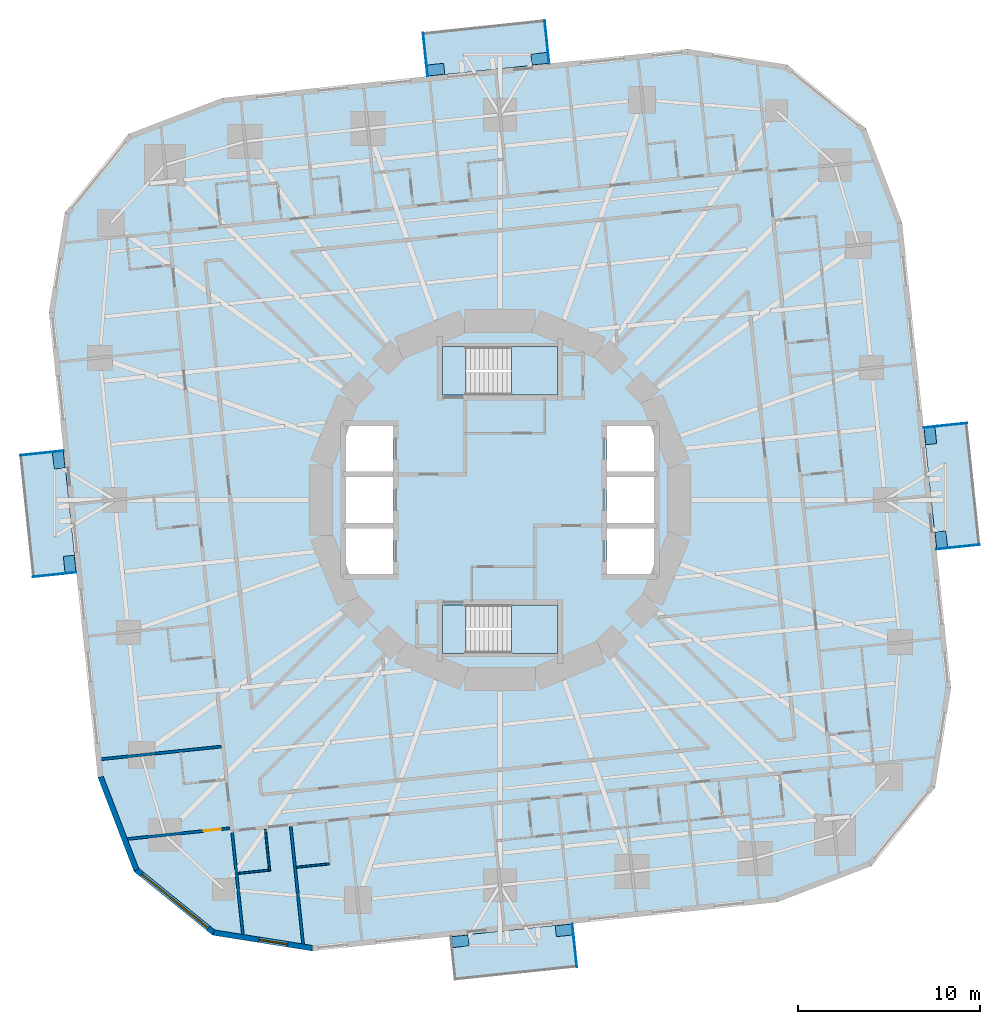
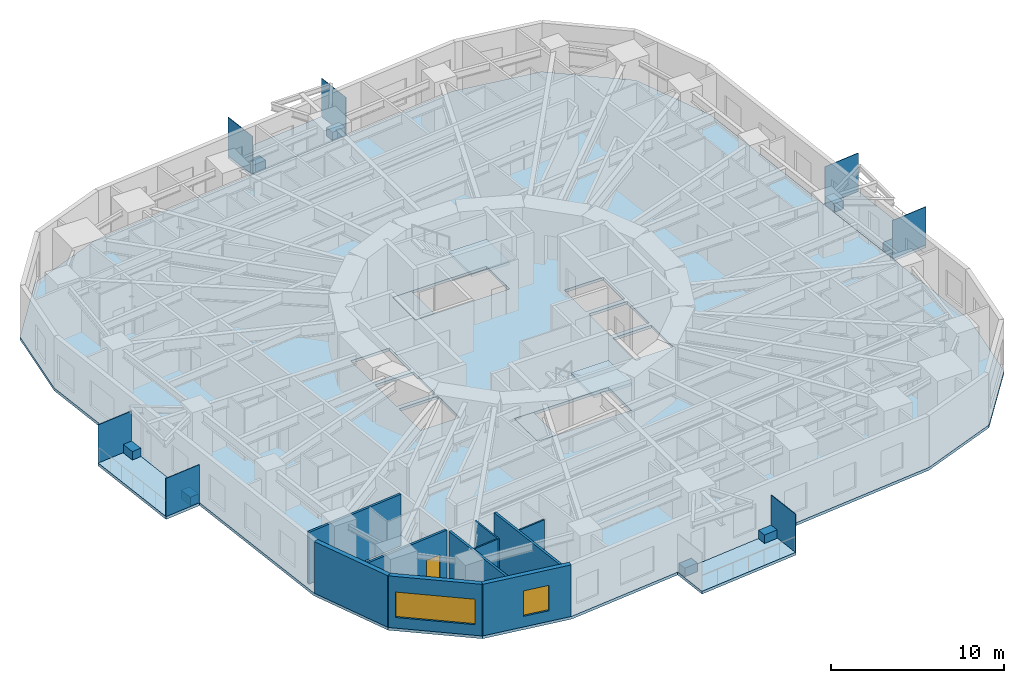
# One storey, part 4 of 13: 15 plates, 10 walls, 9 slabs, 2 windows, 1 door, 3 openings, 2 elements without a shape of their own.
"""IFC4 building model written with IfcOpenShell, lengths in metres."""

from ifc_helpers import new_model, si_unit, direction, frame, frame_2d, origin, origin_2d, place, context, subcontext, project, spatial, polyline, rectangle, outline, extrude, material, layer, layer_set, type_object, element, fill, aggregate, save


model = new_model("IFC4")

# Units and contexts
model_context = context("Model", 3, precision=1e-05, world=origin(), true_north=direction((0.0, 1.0)))
body_context = subcontext(model_context, "Body", "Model", "MODEL_VIEW")
ifc_project = project(units=[si_unit("LENGTHUNIT", "METRE"), si_unit("AREAUNIT", "SQUARE_METRE"), si_unit("VOLUMEUNIT", "CUBIC_METRE"), si_unit("PLANEANGLEUNIT", "RADIAN"), si_unit("MASSUNIT", "GRAM", prefix="KILO")], contexts=[model_context])

# Site, building, storey
site_placement = place(None, origin())
site = spatial("IfcSite", under=ifc_project, at=site_placement, CompositionType="ELEMENT")
building_placement = place(site_placement, origin())
building = spatial("IfcBuilding", under=site, at=building_placement, Name="Nakasero Lantern House", CompositionType="ELEMENT")
storey_placement = place(building_placement, frame((0.0, 0.0, 79.75)))
storey = spatial("IfcBuildingStorey", under=building, at=storey_placement, Name="L19", CompositionType="ELEMENT", Elevation=79.75)

# Plates
ifc_material_1 = material(Name="Aluminium 6063-T6", Category="aluminium")
ifc_layer_1 = layer(ifc_material_1, 0.60009765625)
ifc_layer_set_1 = layer_set([ifc_layer_1], Name="Balcony planter 600x900")
plate_type_1 = type_object("IfcPlateType", Name="Balcony planter 600x900", PredefinedType="USERDEFINED", material=ifc_layer_set_1)
for number, where, z_axis, x_axis, name in (
    (1, (24.1796875, -2.174560546875, 0.0), (0.0, 0.0, 1.0), (0.994521895368, 0.104528463268, 0.0), "Balcony PLANTER L19 BAL0A"),
    (2, (23.58251953125, 3.507568359375, 0.0), (0.0, 0.0, 1.0), (0.994521895368, 0.104528463268, 0.0), "Balcony PLANTER L19 BAL0B"),
    (3, (2.174560546875, 24.1796875, 0.0), (0.0, 0.0, 1.0), (-0.104528463268, 0.994521895368, 0.0), "Balcony PLANTER L19 BAL1A"),
    (4, (-3.507568359375, 23.58251953125, 0.0), (0.0, 0.0, 1.0), (-0.104528463268, 0.994521895368, 0.0), "Balcony PLANTER L19 BAL1B"),
    (5, (-24.1796875, 2.174560546875, 0.0), (0.0, 0.0, 1.0), (-0.994521895368, -0.104528463268, 0.0), "Balcony PLANTER L19 BAL2A"),
    (6, (-23.58251953125, -3.507568359375, 0.0), (0.0, 0.0, 1.0), (-0.994521895368, -0.104528463268, 0.0), "Balcony PLANTER L19 BAL2B"),
    (7, (-2.174560546875, -24.1796875, 0.0), (0.0, 0.0, 1.0), (0.104528463268, -0.994521895368, 0.0), "Balcony PLANTER L19 BAL3A"),
    (8, (3.507568359375, -23.58251953125, 0.0), (0.0, 0.0, 1.0), (0.104528463268, -0.994521895368, 0.0), "Balcony PLANTER L19 BAL3B"),
):
    element("IfcPlate", number, at=place(storey_placement, frame(where, z_axis=z_axis, x_axis=x_axis)), inside=storey, type_object=plate_type_1, Name=name, ObjectType="PLANTER", PredefinedType="USERDEFINED", context=body_context, shape_type="SweptSolid", body=[
        extrude(rectangle(XDim=0.60009765625, YDim=0.89990234375, at=origin_2d()), origin(), (0.0, 0.0, 1.0), 0.60009765625),
    ])
ifc_material_2 = material(Name="Aluminium 6063-T6", Category="aluminium")
ifc_layer_2 = layer(ifc_material_2, 0.0400390625)
ifc_layer_set_2 = layer_set([ifc_layer_2], Name="Balcony screen 2400x2700")
plate_type_2 = type_object("IfcPlateType", Name="Balcony screen 2400x2700", PredefinedType="SHEET", material=ifc_layer_set_2)
for number, where, z_axis, x_axis, name in (
    (9, (25.106201171875, -2.56982421875, 0.0), (0.0, 0.0, 1.0), (0.994521895368, 0.104528463268, 0.0), "Balcony SCREEN L19 BAL0A"),
    (10, (24.406494140625, 4.0869140625, 0.0), (0.0, 0.0, 1.0), (0.994521895368, 0.104528463268, 0.0), "Balcony SCREEN L19 BAL0B"),
    (11, (2.56982421875, 25.106201171875, 0.0), (0.0, 0.0, 1.0), (-0.104528463268, 0.994521895368, 0.0), "Balcony SCREEN L19 BAL1A"),
    (12, (-4.0869140625, 24.406494140625, 0.0), (0.0, 0.0, 1.0), (-0.104528463268, 0.994521895368, 0.0), "Balcony SCREEN L19 BAL1B"),
    (13, (-25.106201171875, 2.56982421875, 0.0), (0.0, 0.0, 1.0), (-0.994521895368, -0.104528463268, 0.0), "Balcony SCREEN L19 BAL2A"),
    (14, (-24.406494140625, -4.0869140625, 0.0), (0.0, 0.0, 1.0), (-0.994521895368, -0.104528463268, 0.0), "Balcony SCREEN L19 BAL2B"),
    (15, (4.0869140625, -24.406494140625, 0.0), (0.0, 0.0, 1.0), (0.104528463268, -0.994521895368, 0.0), "Balcony SCREEN L19 BAL3B"),
):
    element("IfcPlate", number, at=place(storey_placement, frame(where, z_axis=z_axis, x_axis=x_axis)), inside=storey, type_object=plate_type_2, Name=name, PredefinedType="SHEET", context=body_context, shape_type="SweptSolid", body=[
        extrude(rectangle(XDim=2.39990234375, YDim=0.0400390625, at=origin_2d()), origin(), (0.0, 0.0, 1.0), 2.699951171875),
    ])

# Slabs
ifc_material_3 = material(Name="Concrete C35/45", Category="concrete")
ifc_layer_3 = layer(ifc_material_3, 0.199951171875)
ifc_layer_set_3 = layer_set([ifc_layer_3], Name="Balcony slab 200")
slab_type_1 = type_object("IfcSlabType", Name="Balcony slab 200", PredefinedType="USERDEFINED", material=ifc_layer_set_3)
slab_1_placement = place(storey_placement, frame((0.0, 0.0, -0.199951171875)))
element("IfcSlab", 16, at=slab_1_placement, inside=storey, type_object=slab_type_1, Name="Balcony L19 BAL0", ObjectType="BALCONY", PredefinedType="USERDEFINED", context=body_context, shape_type="SweptSolid", body=[
    extrude(outline(polyline([(23.914794921875, -2.715087890625), (26.3017578125, -2.464111328125), (25.597900390625, 4.232177734375), (23.2109375, 3.9814453125), (23.914794921875, -2.715087890625)])), origin(), (0.0, 0.0, 1.0), 0.199951171875),
])
slab_2_placement = place(storey_placement, frame((0.0, 0.0, -0.199951171875)))
element("IfcSlab", 17, at=slab_2_placement, inside=storey, type_object=slab_type_1, Name="Balcony L19 BAL1", ObjectType="BALCONY", PredefinedType="USERDEFINED", context=body_context, shape_type="SweptSolid", body=[
    extrude(outline(polyline([(2.715087890625, 23.914794921875), (2.464111328125, 26.3017578125), (-4.232177734375, 25.597900390625), (-3.9814453125, 23.2109375), (2.715087890625, 23.914794921875)])), origin(), (0.0, 0.0, 1.0), 0.199951171875),
])
slab_3_placement = place(storey_placement, frame((0.0, 0.0, -0.199951171875)))
element("IfcSlab", 18, at=slab_3_placement, inside=storey, type_object=slab_type_1, Name="Balcony L19 BAL2", ObjectType="BALCONY", PredefinedType="USERDEFINED", context=body_context, shape_type="SweptSolid", body=[
    extrude(outline(polyline([(-23.914794921875, 2.715087890625), (-26.3017578125, 2.464111328125), (-25.597900390625, -4.232177734375), (-23.2109375, -3.9814453125), (-23.914794921875, 2.715087890625)])), origin(), (0.0, 0.0, 1.0), 0.199951171875),
])
slab_4_placement = place(storey_placement, frame((0.0, 0.0, -0.199951171875)))
element("IfcSlab", 19, at=slab_4_placement, inside=storey, type_object=slab_type_1, Name="Balcony L19 BAL3", ObjectType="BALCONY", PredefinedType="USERDEFINED", context=body_context, shape_type="SweptSolid", body=[
    extrude(outline(polyline([(-2.715087890625, -23.914794921875), (-2.464111328125, -26.3017578125), (4.232177734375, -25.597900390625), (3.9814453125, -23.2109375), (-2.715087890625, -23.914794921875)])), origin(), (0.0, 0.0, 1.0), 0.199951171875),
])
ifc_material_4 = material(Name="Concrete C35/45", Category="concrete")
ifc_layer_4 = layer(ifc_material_4, 0.199951171875)
ifc_layer_set_4 = layer_set([ifc_layer_4], Name="Composite floor slab 200")
slab_type_2 = type_object("IfcSlabType", Name="Composite floor slab 200", PredefinedType="FLOOR", material=ifc_layer_set_4)
slab_5_placement = place(storey_placement, frame((0.0, 0.0, -0.199951171875)))
element("IfcSlab", 20, at=slab_5_placement, inside=storey, type_object=slab_type_2, Name="Floor slab L19", PredefinedType="FLOOR", context=body_context, shape_type="SweptSolid", body=[
    extrude(outline(polyline([(22.033203125, 15.186279296875), (20.04833984375, 20.357177734375), (15.743896484375, 23.8427734375), (10.2734375, 24.709228515625), (-15.186279296875, 22.033203125), (-20.357177734375, 20.04833984375), (-23.8427734375, 15.743896484375), (-24.709228515625, 10.2734375), (-22.033203125, -15.186279296875), (-20.04833984375, -20.357177734375), (-15.743896484375, -23.8427734375), (-10.2734375, -24.709228515625), (15.186279296875, -22.033203125), (20.357177734375, -20.04833984375), (23.8427734375, -15.743896484375), (24.709228515625, -10.2734375), (22.033203125, 15.186279296875)]), holes=[polyline([(-8.449951171875, -4.050048828125), (-5.85009765625, -4.050048828125), (-5.85009765625, -1.550048828125), (-8.449951171875, -1.550048828125), (-8.449951171875, -4.050048828125)]), polyline([(-8.449951171875, -1.25), (-5.85009765625, -1.25), (-5.85009765625, 1.25), (-8.449951171875, 1.25), (-8.449951171875, -1.25)]), polyline([(-8.449951171875, 1.550048828125), (-5.85009765625, 1.550048828125), (-5.85009765625, 4.050048828125), (-8.449951171875, 4.050048828125), (-8.449951171875, 1.550048828125)]), polyline([(5.85009765625, -4.050048828125), (8.449951171875, -4.050048828125), (8.449951171875, -1.550048828125), (5.85009765625, -1.550048828125), (5.85009765625, -4.050048828125)]), polyline([(5.85009765625, -1.25), (8.449951171875, -1.25), (8.449951171875, 1.25), (5.85009765625, 1.25), (5.85009765625, -1.25)]), polyline([(5.85009765625, 1.550048828125), (8.449951171875, 1.550048828125), (8.449951171875, 4.050048828125), (5.85009765625, 4.050048828125), (5.85009765625, 1.550048828125)]), polyline([(-3.14990234375, 5.75), (3.14990234375, 5.75), (3.14990234375, 8.39990234375), (-3.14990234375, 8.39990234375), (-3.14990234375, 5.75)]), polyline([(-3.14990234375, -8.39990234375), (3.14990234375, -8.39990234375), (3.14990234375, -5.75), (-3.14990234375, -5.75), (-3.14990234375, -8.39990234375)])]), origin(), (0.0, 0.0, 1.0), 0.199951171875),
])

# Stair, slabs
ifc_material_5 = material(Name="Concrete C40/50", Category="concrete")
stair_type_1 = type_object("IfcStairType", Name="Escape stair ST1 22 risers", PredefinedType="HALF_TURN_STAIR", material=ifc_material_5)
stair_1_placement = place(storey_placement, origin())
stair_1 = element("IfcStair", 21, at=stair_1_placement, inside=storey, type_object=stair_type_1, Name="Escape stair ST1 L19", PredefinedType="HALF_TURN_STAIR")
ifc_material_6 = material(Name="Concrete C40/50", Category="concrete")
ifc_layer_5 = layer(ifc_material_6, 0.199951171875)
ifc_layer_set_5 = layer_set([ifc_layer_5], Name="Stair landing 200")
slab_type_3 = type_object("IfcSlabType", Name="Stair landing 200", PredefinedType="LANDING", material=ifc_layer_set_5)
slab_6_placement = place(storey_placement, frame((0.0, 0.0, -0.199951171875)))
slab_6 = element("IfcSlab", 22, at=slab_6_placement, type_object=slab_type_3, Name="ST1 landing 1", PredefinedType="LANDING", context=body_context, shape_type="SweptSolid", body=[
    extrude(outline(polyline([(-3.14990234375, 5.75), (-1.875, 5.75), (-1.875, 8.39990234375), (-3.14990234375, 8.39990234375), (-3.14990234375, 5.75)])), origin(), (0.0, 0.0, 1.0), 0.199951171875),
])
slab_7_placement = place(storey_placement, frame((0.0, 0.0, 1.72509765625)))
slab_7 = element("IfcSlab", 23, at=slab_7_placement, type_object=slab_type_3, Name="ST1 landing 2", PredefinedType="LANDING", context=body_context, shape_type="SweptSolid", body=[
    extrude(outline(polyline([(0.625, 5.75), (3.14990234375, 5.75), (3.14990234375, 8.39990234375), (0.625, 8.39990234375), (0.625, 5.75)])), origin(), (0.0, 0.0, 1.0), 0.199951171875),
])
aggregate(stair_1, [slab_6, slab_7])

ifc_material_7 = material(Name="Concrete C40/50", Category="concrete")
stair_type_2 = type_object("IfcStairType", Name="Escape stair ST2 22 risers", PredefinedType="HALF_TURN_STAIR", material=ifc_material_7)
stair_2_placement = place(storey_placement, origin())
stair_2 = element("IfcStair", 24, at=stair_2_placement, inside=storey, type_object=stair_type_2, Name="Escape stair ST2 L19", PredefinedType="HALF_TURN_STAIR")
slab_8_placement = place(storey_placement, frame((0.0, 0.0, -0.199951171875)))
slab_8 = element("IfcSlab", 25, at=slab_8_placement, type_object=slab_type_3, Name="ST2 landing 1", PredefinedType="LANDING", context=body_context, shape_type="SweptSolid", body=[
    extrude(outline(polyline([(-3.14990234375, -8.39990234375), (-1.875, -8.39990234375), (-1.875, -5.75), (-3.14990234375, -5.75), (-3.14990234375, -8.39990234375)])), origin(), (0.0, 0.0, 1.0), 0.199951171875),
])
slab_9_placement = place(storey_placement, frame((0.0, 0.0, 1.72509765625)))
slab_9 = element("IfcSlab", 26, at=slab_9_placement, type_object=slab_type_3, Name="ST2 landing 2", PredefinedType="LANDING", context=body_context, shape_type="SweptSolid", body=[
    extrude(outline(polyline([(0.625, -8.39990234375), (3.14990234375, -8.39990234375), (3.14990234375, -5.75), (0.625, -5.75), (0.625, -8.39990234375)])), origin(), (0.0, 0.0, 1.0), 0.199951171875),
])
aggregate(stair_2, [slab_8, slab_9])

# Walls
ifc_material_8 = material(Name="Blockwork", Category="masonry")
ifc_layer_6 = layer(ifc_material_8, 0.10009765625)
ifc_layer_set_6 = layer_set([ifc_layer_6], Name="En-suite wall 100")
wall_type_1 = type_object("IfcWallType", Name="En-suite wall 100", PredefinedType="PARTITIONING", material=ifc_layer_set_6)
wall_1_placement = place(storey_placement, frame((-12.859375, -18.04296875, 0.0), z_axis=(0.0, 0.0, 1.0), x_axis=(0.104452703326, -0.994529855142, 0.0)))
element("IfcWall", 27, at=wall_1_placement, inside=storey, type_object=wall_type_1, Name="En-suite wall L19 ES3-00", PredefinedType="PARTITIONING", context=body_context, shape_type="SweptSolid", body=[
    extrude(rectangle(XDim=2.300048828125, YDim=0.10009765625, at=frame_2d((1.14990234375, 0.0))), origin(), (0.0, 0.0, 1.0), 3.64990234375),
])
wall_2_placement = place(storey_placement, frame((-14.36474609375, -20.463623046875, 0.0), z_axis=(0.0, 0.0, 1.0), x_axis=(0.994519608382, 0.104550220202, 0.0)))
element("IfcWall", 28, at=wall_2_placement, inside=storey, type_object=wall_type_1, Name="En-suite wall L19 EE3-00", PredefinedType="PARTITIONING", context=body_context, shape_type="SweptSolid", body=[
    extrude(rectangle(XDim=1.699951171875, YDim=0.10009765625, at=frame_2d((0.85009765625, 0.0))), origin(), (0.0, 0.0, 1.0), 3.64990234375),
])
wall_3_placement = place(storey_placement, frame((-11.156982421875, -20.12646484375, 0.0), z_axis=(0.0, 0.0, 1.0), x_axis=(0.994516595821, 0.104578872801, 0.0)))
element("IfcWall", 29, at=wall_3_placement, inside=storey, type_object=wall_type_1, Name="En-suite wall L19 EE3-01", PredefinedType="PARTITIONING", context=body_context, shape_type="SweptSolid", body=[
    extrude(rectangle(XDim=1.7998046875, YDim=0.10009765625, at=frame_2d((0.89990234375, 0.0))), origin(), (0.0, 0.0, 1.0), 3.64990234375),
])
ifc_material_9 = material(Name="Aluminium rainscreen on blockwork", Category="masonry")
ifc_layer_7 = layer(ifc_material_9, 0.300048828125)
ifc_layer_set_7 = layer_set([ifc_layer_7], Name="Facade wall 300")
wall_type_2 = type_object("IfcWallType", Name="Facade wall 300", PredefinedType="SOLIDWALL", material=ifc_layer_set_7)
wall_4_placement = place(storey_placement, frame((-21.884033203125, -15.170654296875, 0.0), z_axis=(0.0, 0.0, 1.0), x_axis=(0.358358884793, -0.933583906079, 0.0)))
element("IfcWall", 30, at=wall_4_placement, inside=storey, type_object=wall_type_2, Name="Facade wall L19 FW2C1", PredefinedType="SOLIDWALL", context=body_context, shape_type="SweptSolid", body=[
    extrude(rectangle(XDim=5.461181640625, YDim=0.300048828125, at=frame_2d((2.73046875, 0.0))), origin(), (0.0, 0.0, 1.0), 3.64990234375),
])

# Wall, opening, window
wall_5_placement = place(storey_placement, frame((-19.927001953125, -20.26904296875, 0.0), z_axis=(0.0, 0.0, 1.0), x_axis=(0.777134500863, -0.629334543442, 0.0)))
wall_5 = element("IfcWall", 31, at=wall_5_placement, inside=storey, type_object=wall_type_2, Name="Facade wall L19 FW2C2", PredefinedType="SOLIDWALL", context=body_context, shape_type="SweptSolid", body=[
    extrude(rectangle(XDim=5.4609375, YDim=0.300048828125, at=frame_2d((2.73046875, 0.0))), origin(), (0.0, 0.0, 1.0), 3.64990234375),
])
opening_1_placement = place(wall_5_placement, frame((0.39990234375, 0.0, 0.75)))
opening_1 = element("IfcOpeningElement", 32, at=opening_1_placement, cuts=wall_5, Name="Opening W246", PredefinedType="OPENING", context=body_context, shape_type="SweptSolid", body=[
    extrude(rectangle(XDim=4.660888671875, YDim=1.800048828125, at=frame_2d((2.33056640625, 0.89990234375))), frame((0.0, 0.169921875, 0.0), z_axis=(0.0, -1.0, 0.0), x_axis=(1.0, 0.0, 0.0)), (0.0, 0.0, 1.0), 0.340087890625),
])
ifc_material_10 = material(Name="Aluminium 6063-T6 and glass", Category="aluminium")
window_type_1 = type_object("IfcWindowType", Name="Corner window 4661x1800", PartitioningType="SINGLE_PANEL", PredefinedType="WINDOW", material=ifc_material_10)
window_1_placement = place(opening_1_placement, origin())
window_1 = element("IfcWindow", 33, at=window_1_placement, inside=storey, type_object=window_type_1, Name="Window L19 WC2", OverallHeight=1.800048828125, OverallWidth=4.660888671875, PartitioningType="SINGLE_PANEL", PredefinedType="WINDOW", context=body_context, shape_type="SweptSolid", body=[
    extrude(rectangle(XDim=4.660888671875, YDim=1.800048828125, at=frame_2d((2.33056640625, 0.89990234375))), frame((0.0, 0.030029296875, 0.0), z_axis=(0.0, -1.0, 0.0), x_axis=(1.0, 0.0, 0.0)), (0.0, 0.0, 1.0), 0.06005859375),
])
fill(opening_1, window_1)

wall_6_placement = place(storey_placement, frame((-15.68310546875, -23.705810546875, 0.0), z_axis=(0.0, 0.0, 1.0), x_axis=(0.987690729142, -0.156419383601, 0.0)))
wall_6 = element("IfcWall", 34, at=wall_6_placement, inside=storey, type_object=wall_type_2, Name="Facade wall L19 FW2C3", PredefinedType="SOLIDWALL", context=body_context, shape_type="SweptSolid", body=[
    extrude(rectangle(XDim=5.461181640625, YDim=0.300048828125, at=frame_2d((2.73046875, 0.0))), origin(), (0.0, 0.0, 1.0), 3.64990234375),
])
opening_2_placement = place(wall_6_placement, frame((2.5, 0.0, 0.75)))
opening_2 = element("IfcOpeningElement", 35, at=opening_2_placement, cuts=wall_6, Name="Opening W01", PredefinedType="OPENING", context=body_context, shape_type="SweptSolid", body=[
    extrude(rectangle(XDim=1.60009765625, YDim=1.800048828125, at=frame_2d((0.800048828125, 0.89990234375))), frame((0.0, 0.169921875, 0.0), z_axis=(0.0, -1.0, 0.0), x_axis=(1.0, 0.0, 0.0)), (0.0, 0.0, 1.0), 0.340087890625),
])
ifc_material_11 = material(Name="Aluminium 6063-T6 and glass", Category="aluminium")
window_type_2 = type_object("IfcWindowType", Name="Bedroom window 1600x1800", PartitioningType="SINGLE_PANEL", PredefinedType="WINDOW", material=ifc_material_11)
window_2_placement = place(opening_2_placement, origin())
window_2 = element("IfcWindow", 36, at=window_2_placement, inside=storey, type_object=window_type_2, Name="Window L19 WN3-00", OverallHeight=1.800048828125, OverallWidth=1.60009765625, PartitioningType="SINGLE_PANEL", PredefinedType="WINDOW", context=body_context, shape_type="SweptSolid", body=[
    extrude(rectangle(XDim=1.60009765625, YDim=1.800048828125, at=frame_2d((0.800048828125, 0.89990234375))), frame((0.0, 0.030029296875, 0.0), z_axis=(0.0, -1.0, 0.0), x_axis=(1.0, 0.0, 0.0)), (0.0, 0.0, 1.0), 0.06005859375),
])
fill(opening_2, window_2)

# Wall
ifc_material_12 = material(Name="Blockwork", Category="masonry")
ifc_layer_8 = layer(ifc_material_12, 0.14990234375)
ifc_layer_set_8 = layer_set([ifc_layer_8], Name="Party wall 150")
wall_type_3 = type_object("IfcWallType", Name="Party wall 150", PredefinedType="PARTITIONING", material=ifc_layer_set_8)
wall_7_placement = place(storey_placement, frame((-15.271240234375, -13.511474609375, 0.0), z_axis=(0.0, 0.0, 1.0), x_axis=(-0.994521251134, -0.104534592565, 0.0)))
element("IfcWall", 37, at=wall_7_placement, inside=storey, type_object=wall_type_3, Name="Party wall L19 PW2-08", PredefinedType="PARTITIONING", context=body_context, shape_type="SweptSolid", body=[
    extrude(rectangle(XDim=6.60009765625, YDim=0.14990234375, at=frame_2d((3.300048828125, 0.0))), origin(), (0.0, 0.0, 1.0), 3.64990234375),
])

# Wall, opening, door
wall_8_placement = place(storey_placement, frame((-14.801025390625, -17.9853515625, 0.0), z_axis=(0.0, 0.0, 1.0), x_axis=(-0.994522751177, -0.104520320471, 0.0)))
wall_8 = element("IfcWall", 38, at=wall_8_placement, inside=storey, type_object=wall_type_3, Name="Party wall L19 PC2", PredefinedType="PARTITIONING", context=body_context, shape_type="SweptSolid", body=[
    extrude(rectangle(XDim=5.64111328125, YDim=0.14990234375, at=frame_2d((2.820556640625, 0.0))), origin(), (0.0, 0.0, 1.0), 3.64990234375),
])
opening_3_placement = place(wall_8_placement, frame((0.5, 0.0, 0.0)))
opening_3 = element("IfcOpeningElement", 39, at=opening_3_placement, cuts=wall_8, Name="Opening D01", PredefinedType="OPENING", context=body_context, shape_type="SweptSolid", body=[
    extrude(rectangle(XDim=0.949951171875, YDim=2.10009765625, at=frame_2d((0.47509765625, 1.050048828125))), frame((0.0, 0.094970703125, 0.0), z_axis=(0.0, -1.0, 0.0), x_axis=(1.0, 0.0, 0.0)), (0.0, 0.0, 1.0), 0.18994140625),
])
ifc_material_13 = material(Name="Timber C24", Category="wood")
door_type = type_object("IfcDoorType", Name="Bedroom door FD30S 950", OperationType="SINGLE_SWING_LEFT", PredefinedType="DOOR", material=ifc_material_13)
door_placement = place(opening_3_placement, origin())
door = element("IfcDoor", 40, at=door_placement, inside=storey, type_object=door_type, Name="Door L19 DC2", OperationType="SINGLE_SWING_LEFT", OverallHeight=2.10009765625, OverallWidth=0.949951171875, PredefinedType="DOOR", context=body_context, shape_type="SweptSolid", body=[
    extrude(rectangle(XDim=0.949951171875, YDim=2.10009765625, at=frame_2d((0.47509765625, 1.050048828125))), frame((0.0, 0.02490234375, 0.0), z_axis=(0.0, -1.0, 0.0), x_axis=(1.0, 0.0, 0.0)), (0.0, 0.0, 1.0), 0.050048828125),
])
fill(opening_3, door)

# Walls
wall_9_placement = place(storey_placement, frame((-14.674560546875, -18.23388671875, 0.0), z_axis=(0.0, 0.0, 1.0), x_axis=(0.104541754786, -0.994520498284, 0.0)))
element("IfcWall", 41, at=wall_9_placement, inside=storey, type_object=wall_type_3, Name="Party wall L19 PW3-00", PredefinedType="PARTITIONING", context=body_context, shape_type="SweptSolid", body=[
    extrude(rectangle(XDim=5.597900390625, YDim=0.14990234375, at=frame_2d((2.798828125, 0.0))), origin(), (0.0, 0.0, 1.0), 3.64990234375),
])
wall_10_placement = place(storey_placement, frame((-11.466796875, -17.896728515625, 0.0), z_axis=(0.0, 0.0, 1.0), x_axis=(0.10453728607, -0.994520968015, 0.0)))
element("IfcWall", 42, at=wall_10_placement, inside=storey, type_object=wall_type_3, Name="Party wall L19 PW3-01", PredefinedType="PARTITIONING", context=body_context, shape_type="SweptSolid", body=[
    extrude(rectangle(XDim=6.462158203125, YDim=0.14990234375, at=frame_2d((3.23095703125, 0.0))), origin(), (0.0, 0.0, 1.0), 3.64990234375),
])

save(model, "model.ifc")
